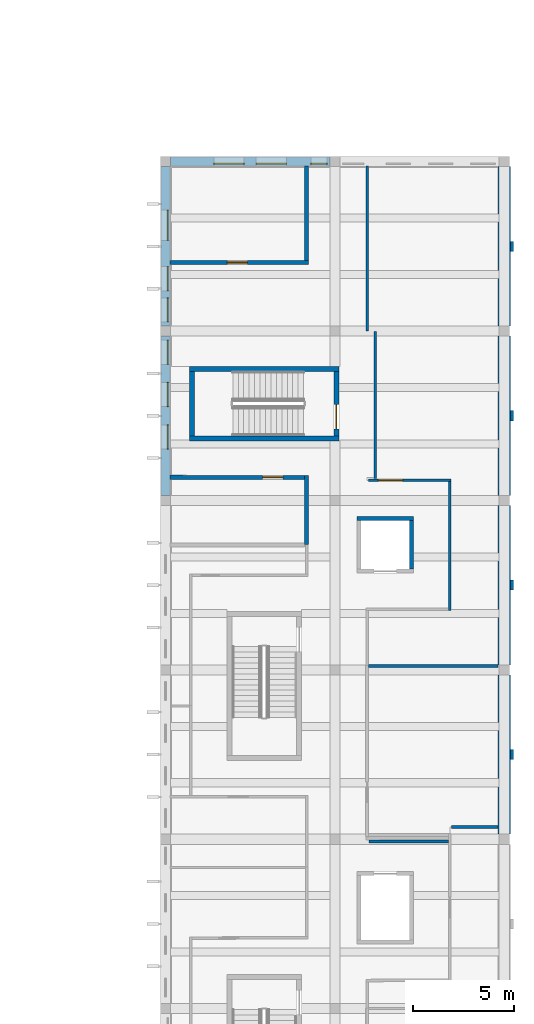
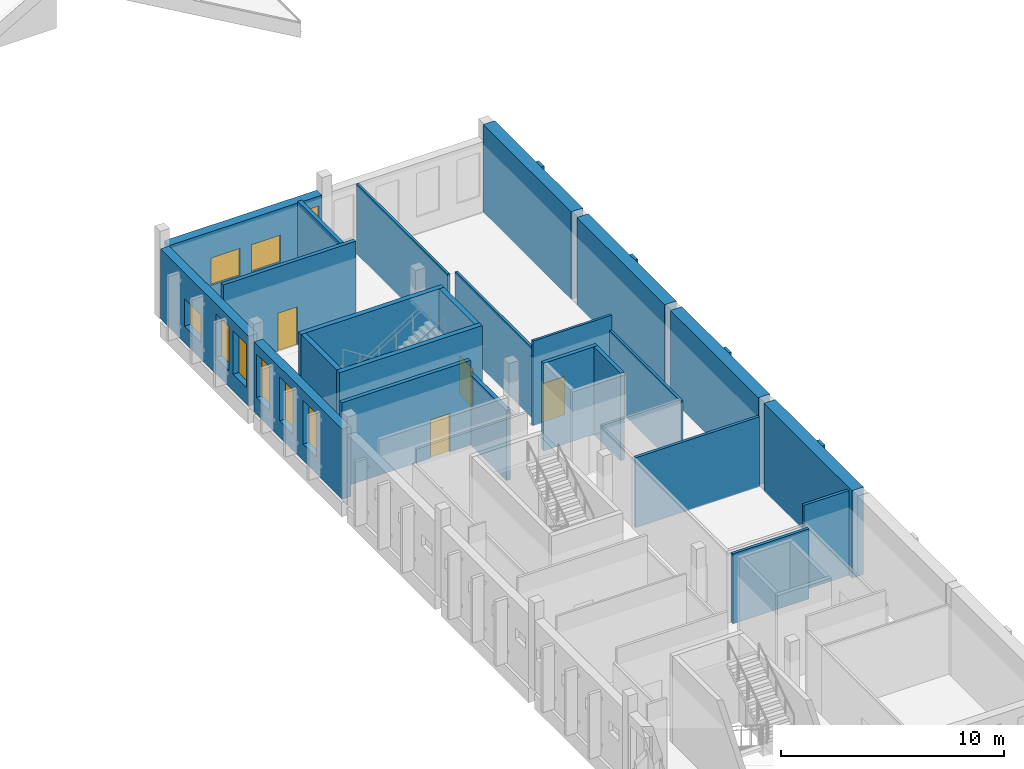
# One storey, part 11 of 37: 28 walls, 9 windows, 4 doors, 13 openings.
"""IFC4 building model written with IfcOpenShell, lengths in metres."""

from ifc_helpers import new_model, si_unit, direction, frame, frame_2d, origin, place, context, subcontext, project, spatial, rectangle, extrude, material, layer, layer_set, type_object, element, fill, save


model = new_model("IFC4")

# Units and contexts
model_context = context("Model", 3, precision=1e-05, world=origin(), true_north=direction((0.0, 1.0)))
body_context = subcontext(model_context, "Body", "Model", "MODEL_VIEW")
ifc_project = project(units=[si_unit("LENGTHUNIT", "METRE"), si_unit("AREAUNIT", "SQUARE_METRE"), si_unit("VOLUMEUNIT", "CUBIC_METRE"), si_unit("PLANEANGLEUNIT", "RADIAN"), si_unit("MASSUNIT", "GRAM", prefix="KILO")], contexts=[model_context])

# Site, building, storey
site_placement = place(None, origin())
site = spatial("IfcSite", under=ifc_project, at=site_placement, CompositionType="ELEMENT")
building_placement = place(site_placement, origin())
building = spatial("IfcBuilding", under=site, at=building_placement, Name="Larchfold Concert Hall", CompositionType="ELEMENT")
storey_placement = place(building_placement, frame((0.0, 0.0, 19.199951171875)))
storey = spatial("IfcBuildingStorey", under=building, at=storey_placement, Name="L04", CompositionType="ELEMENT", Elevation=19.199951171875)

# Wall
ifc_material_1 = material(Name="Plasterboard partition on steel studs", Category="steel")
ifc_layer_1 = layer(ifc_material_1, 0.199951171875)
ifc_layer_set_1 = layer_set([ifc_layer_1], Name="Plasterboard partition on steel studs")
wall_type_1 = type_object("IfcWallType", Name="Acoustic partition 200", PredefinedType="PARTITIONING", material=ifc_layer_set_1)
wall_1_placement = place(storey_placement, frame((91.59814453125, 32.02001953125, 0.0), z_axis=(0.0, 0.0, 1.0), x_axis=(0.000856408478, 0.999999633282, 0.0)))
element("IfcWall", 1, at=wall_1_placement, inside=storey, type_object=wall_type_1, Name="Partition IW0033", PredefinedType="PARTITIONING", context=body_context, shape_type="SweptSolid", body=[
    extrude(rectangle(XDim=3.4208984375, YDim=0.199951171875, at=frame_2d((1.71044921875, 0.0))), origin(), (0.0, 0.0, 1.0), 3.840087890625),
])

# Wall, opening, door
wall_2_placement = place(storey_placement, frame((91.5009765625, 35.341064453125, 0.0), z_axis=(0.0, 0.0, 1.0), x_axis=(-0.999998875879, 0.001499413177, 0.0)))
wall_2 = element("IfcWall", 2, at=wall_2_placement, inside=storey, type_object=wall_type_1, Name="Partition IW0034", PredefinedType="PARTITIONING", context=body_context, shape_type="SweptSolid", body=[
    extrude(rectangle(XDim=6.67578125, YDim=0.199951171875, at=frame_2d((3.337890625, 0.0))), origin(), (0.0, 0.0, 1.0), 4.64013671875),
])
opening_1_placement = place(wall_2_placement, frame((1.08544921875, 0.0, 0.0)))
opening_1 = element("IfcOpeningElement", 3, at=opening_1_placement, cuts=wall_2, Name="Opening D-L04-114", PredefinedType="OPENING", context=body_context, shape_type="SweptSolid", body=[
    extrude(rectangle(XDim=1.0, YDim=2.10009765625, at=frame_2d((0.5, 1.050048828125))), frame((0.0, 0.10986328125, 0.0), z_axis=(0.0, -1.0, 0.0), x_axis=(1.0, 0.0, 0.0)), (0.0, 0.0, 1.0), 0.219970703125),
])
ifc_material_2 = material(Name="Timber door leaf", Category="wood")
door_type_1 = type_object("IfcDoorType", Name="Practice and studio door, acoustic 1000 x 2100 FD30S", OperationType="SINGLE_SWING_LEFT", PredefinedType="DOOR", material=ifc_material_2)
door_1_placement = place(opening_1_placement, origin())
door_1 = element("IfcDoor", 4, at=door_1_placement, inside=storey, type_object=door_type_1, Name="Door D-L04-114", OperationType="SINGLE_SWING_RIGHT", OverallHeight=2.10009765625, OverallWidth=1.0, PredefinedType="DOOR", context=body_context, shape_type="SweptSolid", body=[
    extrude(rectangle(XDim=1.0, YDim=2.10009765625, at=frame_2d((0.5, 1.050048828125))), frame((0.0, 0.02490234375, 0.0), z_axis=(0.0, -1.0, 0.0), x_axis=(1.0, 0.0, 0.0)), (0.0, 0.0, 1.0), 0.050048828125),
])
fill(opening_1, door_1)

wall_3_placement = place(storey_placement, frame((84.8251953125, 46.0, 0.0), z_axis=(0.0, 0.0, 1.0), x_axis=(0.999999989894, 0.000142171671, 0.0)))
wall_3 = element("IfcWall", 5, at=wall_3_placement, inside=storey, type_object=wall_type_1, Name="Partition IW0035", PredefinedType="PARTITIONING", context=body_context, shape_type="SweptSolid", body=[
    extrude(rectangle(XDim=6.868896484375, YDim=0.199951171875, at=frame_2d((3.4345703125, 0.0))), origin(), (0.0, 0.0, 1.0), 4.64013671875),
])
opening_2_placement = place(wall_3_placement, frame((2.840087890625, 0.0, 0.0)))
opening_2 = element("IfcOpeningElement", 6, at=opening_2_placement, cuts=wall_3, Name="Opening D-L04-115", PredefinedType="OPENING", context=body_context, shape_type="SweptSolid", body=[
    extrude(rectangle(XDim=1.0, YDim=2.10009765625, at=frame_2d((0.5, 1.050048828125))), frame((0.0, 0.10986328125, 0.0), z_axis=(0.0, -1.0, 0.0), x_axis=(1.0, 0.0, 0.0)), (0.0, 0.0, 1.0), 0.219970703125),
])
door_2_placement = place(opening_2_placement, origin())
door_2 = element("IfcDoor", 7, at=door_2_placement, inside=storey, type_object=door_type_1, Name="Door D-L04-115", OperationType="SINGLE_SWING_LEFT", OverallHeight=2.10009765625, OverallWidth=1.0, PredefinedType="DOOR", context=body_context, shape_type="SweptSolid", body=[
    extrude(rectangle(XDim=1.0, YDim=2.10009765625, at=frame_2d((0.5, 1.050048828125))), frame((0.0, 0.02490234375, 0.0), z_axis=(0.0, -1.0, 0.0), x_axis=(1.0, 0.0, 0.0)), (0.0, 0.0, 1.0), 0.050048828125),
])
fill(opening_2, door_2)

# Walls
wall_4_placement = place(storey_placement, frame((91.59423828125, 46.10107421875, 0.0), z_axis=(0.0, 0.0, 1.0), x_axis=(0.001253655513, 0.999999214174, 0.0)))
element("IfcWall", 8, at=wall_4_placement, inside=storey, type_object=wall_type_1, Name="Partition IW0036", PredefinedType="PARTITIONING", context=body_context, shape_type="SweptSolid", body=[
    extrude(rectangle(XDim=4.673828125, YDim=0.199951171875, at=frame_2d((2.3369140625, 0.0))), origin(), (0.0, 0.0, 1.0), 3.93994140625),
])
ifc_material_3 = material(Name="Plasterboard partition on steel studs", Category="steel")
ifc_layer_2 = layer(ifc_material_3, 0.125)
ifc_layer_set_2 = layer_set([ifc_layer_2], Name="Plasterboard partition on steel studs")
wall_type_2 = type_object("IfcWallType", Name="Corridor partition 125 EI 60", PredefinedType="PARTITIONING", material=ifc_layer_set_2)
wall_5_placement = place(storey_placement, frame((94.60009765625, 50.77490234375, 0.0), z_axis=(0.0, 0.0, 1.0), x_axis=(-0.000149258185, -0.999999988861, 0.0)))
element("IfcWall", 9, at=wall_5_placement, inside=storey, type_object=wall_type_2, Name="Partition IW0037", PredefinedType="PARTITIONING", context=body_context, shape_type="SweptSolid", body=[
    extrude(rectangle(XDim=8.178466796875, YDim=0.125, at=frame_2d((4.08935546875, 0.0))), origin(), (0.0, 0.0, 1.0), 3.840087890625),
])
wall_6_placement = place(storey_placement, frame((94.9990234375, 42.58642578125, 0.0), z_axis=(0.0, 0.0, 1.0), x_axis=(0.0, -1.0, 0.0)))
element("IfcWall", 10, at=wall_6_placement, inside=storey, type_object=wall_type_2, Name="Partition IW0038", PredefinedType="PARTITIONING", context=body_context, shape_type="SweptSolid", body=[
    extrude(rectangle(XDim=7.2978515625, YDim=0.125, at=frame_2d((3.64892578125, 0.0))), origin(), (0.0, 0.0, 1.0), 3.840087890625),
])

# Wall, opening, door
wall_7_placement = place(storey_placement, frame((94.66162109375, 35.207763671875, 0.0), z_axis=(0.0, 0.0, 1.0), x_axis=(0.999997702175, -0.002143745446, 0.0)))
wall_7 = element("IfcWall", 11, at=wall_7_placement, inside=storey, type_object=wall_type_2, Name="Partition IW0039", PredefinedType="PARTITIONING", context=body_context, shape_type="SweptSolid", body=[
    extrude(rectangle(XDim=4.099853515625, YDim=0.125, at=frame_2d((2.0498046875, 0.0))), origin(), (0.0, 0.0, 1.0), 4.64013671875),
])
opening_3_placement = place(wall_7_placement, frame((0.498291015625, 0.0, 0.0)))
opening_3 = element("IfcOpeningElement", 12, at=opening_3_placement, cuts=wall_7, Name="Opening D-L04-116", PredefinedType="OPENING", context=body_context, shape_type="SweptSolid", body=[
    extrude(rectangle(XDim=1.199951171875, YDim=2.10009765625, at=frame_2d((0.60009765625, 1.050048828125))), frame((0.0, 0.072509765625, 0.0), z_axis=(0.0, -1.0, 0.0), x_axis=(1.0, 0.0, 0.0)), (0.0, 0.0, 1.0), 0.14501953125),
])
ifc_material_4 = material(Name="Timber door leaf", Category="wood")
door_type_2 = type_object("IfcDoorType", Name="Large room door pair 1200 x 2100 FD30S", OperationType="SINGLE_SWING_LEFT", PredefinedType="DOOR", material=ifc_material_4)
door_3_placement = place(opening_3_placement, origin())
door_3 = element("IfcDoor", 13, at=door_3_placement, inside=storey, type_object=door_type_2, Name="Door D-L04-116", OperationType="DOUBLE_DOOR_SINGLE_SWING", OverallHeight=2.10009765625, OverallWidth=1.199951171875, PredefinedType="DOOR", context=body_context, shape_type="SweptSolid", body=[
    extrude(rectangle(XDim=1.199951171875, YDim=2.10009765625, at=frame_2d((0.60009765625, 1.050048828125))), frame((0.0, 0.02490234375, 0.0), z_axis=(0.0, -1.0, 0.0), x_axis=(1.0, 0.0, 0.0)), (0.0, 0.0, 1.0), 0.050048828125),
])
fill(opening_3, door_3)

# Walls
wall_8_placement = place(storey_placement, frame((98.698974609375, 35.136474609375, 0.0), z_axis=(0.0, 0.0, 1.0), x_axis=(0.0, -1.0, 0.0)))
element("IfcWall", 14, at=wall_8_placement, inside=storey, type_object=wall_type_2, Name="Partition IW0040", PredefinedType="PARTITIONING", context=body_context, shape_type="SweptSolid", body=[
    extrude(rectangle(XDim=6.39794921875, YDim=0.125, at=frame_2d((3.198974609375, 0.0))), origin(), (0.0, 0.0, 1.0), 3.840087890625),
])
ifc_material_5 = material(Name="Plasterboard partition on steel studs", Category="steel")
ifc_layer_3 = layer(ifc_material_5, 0.14990234375)
ifc_layer_set_3 = layer_set([ifc_layer_3], Name="Plasterboard partition on steel studs")
wall_type_3 = type_object("IfcWallType", Name="Shaft and plant partition 150 EI 120", PredefinedType="PARTITIONING", material=ifc_layer_set_3)
wall_9_placement = place(storey_placement, frame((94.681884765625, 17.29638671875, 0.0), z_axis=(0.0, 0.0, 1.0), x_axis=(0.999999969509, -0.00024694406, 0.0)))
element("IfcWall", 15, at=wall_9_placement, inside=storey, type_object=wall_type_3, Name="Partition IW0029", PredefinedType="PARTITIONING", context=body_context, shape_type="SweptSolid", body=[
    extrude(rectangle(XDim=3.95458984375, YDim=0.14990234375, at=frame_2d((1.977294921875, 0.0))), origin(), (0.0, 0.0, 1.0), 3.840087890625),
])
wall_10_placement = place(storey_placement, frame((98.77392578125, 18.0, 0.0), z_axis=(0.0, 0.0, 1.0), x_axis=(1.0, 0.0, 0.0)))
element("IfcWall", 16, at=wall_10_placement, inside=storey, type_object=wall_type_3, Name="Partition IW0044", PredefinedType="PARTITIONING", context=body_context, shape_type="SweptSolid", body=[
    extrude(rectangle(XDim=2.326171875, YDim=0.14990234375, at=frame_2d((1.1630859375, 0.0))), origin(), (0.0, 0.0, 1.0), 4.64013671875),
])
wall_11_placement = place(storey_placement, frame((94.675048828125, 26.0, 0.0), z_axis=(0.0, 0.0, 1.0), x_axis=(1.0, 0.0, 0.0)))
element("IfcWall", 17, at=wall_11_placement, inside=storey, type_object=wall_type_3, Name="Partition IW0047", PredefinedType="PARTITIONING", context=body_context, shape_type="SweptSolid", body=[
    extrude(rectangle(XDim=6.425048828125, YDim=0.14990234375, at=frame_2d((3.21240234375, 0.0))), origin(), (0.0, 0.0, 1.0), 3.840087890625),
])
ifc_material_6 = material(Name="Concrete C40/50", Category="concrete")
ifc_layer_4 = layer(ifc_material_6, 0.199951171875)
ifc_layer_set_4 = layer_set([ifc_layer_4], Name="Concrete C40/50")
wall_type_4 = type_object("IfcWallType", Name="Wall RC 200 lift shaft", PredefinedType="SOLIDWALL", material=ifc_layer_set_4)
wall_12_placement = place(storey_placement, frame((94.10009765625, 33.2998046875, 0.0), z_axis=(0.0, 0.0, 1.0), x_axis=(1.0, 0.0, 0.0)))
element("IfcWall", 18, at=wall_12_placement, inside=storey, type_object=wall_type_4, Name="Wall W0111", PredefinedType="SOLIDWALL", context=body_context, shape_type="SweptSolid", body=[
    extrude(rectangle(XDim=2.7998046875, YDim=0.199951171875, at=frame_2d((1.39990234375, 0.0))), origin(), (0.0, 0.0, 1.0), 4.800048828125),
])
wall_13_placement = place(storey_placement, frame((96.7998046875, 30.800048828125, 0.0), z_axis=(0.0, 0.0, 1.0), x_axis=(0.0, 1.0, 0.0)))
element("IfcWall", 19, at=wall_13_placement, inside=storey, type_object=wall_type_4, Name="Wall W0113", PredefinedType="SOLIDWALL", context=body_context, shape_type="SweptSolid", body=[
    extrude(rectangle(XDim=2.39990234375, YDim=0.199951171875, at=frame_2d((1.199951171875, 0.0))), origin(), (0.0, 0.0, 1.0), 4.800048828125),
])
ifc_material_7 = material(Name="Concrete C40/50", Category="concrete")
ifc_layer_5 = layer(ifc_material_7, 0.25)
ifc_layer_set_5 = layer_set([ifc_layer_5], Name="Concrete C40/50")
wall_type_5 = type_object("IfcWallType", Name="Wall RC 250 stair core", PredefinedType="SOLIDWALL", material=ifc_layer_set_5)
for number, where, z_axis, x_axis, name in (
    (20, (85.800048828125, 37.27490234375, 0.0), (0.0, 0.0, 1.0), (1.0, 0.0, 0.0), "Wall W0082"),
    (21, (85.800048828125, 40.72509765625, 0.0), (0.0, 0.0, 1.0), (1.0, 0.0, 0.0), "Wall W0083"),
):
    element("IfcWall", number, at=place(storey_placement, frame(where, z_axis=z_axis, x_axis=x_axis)), inside=storey, type_object=wall_type_5, Name=name, PredefinedType="SOLIDWALL", context=body_context, shape_type="SweptSolid", body=[
        extrude(rectangle(XDim=7.39990234375, YDim=0.25, at=frame_2d((3.699951171875, 0.0))), origin(), (0.0, 0.0, 1.0), 4.800048828125),
    ])
wall_14_placement = place(storey_placement, frame((85.925048828125, 37.39990234375, 0.0), z_axis=(0.0, 0.0, 1.0), x_axis=(0.0, 1.0, 0.0)))
element("IfcWall", 22, at=wall_14_placement, inside=storey, type_object=wall_type_5, Name="Wall W0084", PredefinedType="SOLIDWALL", context=body_context, shape_type="SweptSolid", body=[
    extrude(rectangle(XDim=3.2001953125, YDim=0.25, at=frame_2d((1.60009765625, 0.0))), origin(), (0.0, 0.0, 1.0), 4.800048828125),
])

# Wall, opening, door
wall_15_placement = place(storey_placement, frame((93.074951171875, 37.39990234375, 0.0), z_axis=(0.0, 0.0, 1.0), x_axis=(0.0, 1.0, 0.0)))
wall_15 = element("IfcWall", 23, at=wall_15_placement, inside=storey, type_object=wall_type_5, Name="Wall W0085", PredefinedType="SOLIDWALL", context=body_context, shape_type="SweptSolid", body=[
    extrude(rectangle(XDim=3.2001953125, YDim=0.25, at=frame_2d((1.60009765625, 0.0))), origin(), (0.0, 0.0, 1.0), 4.800048828125),
])
opening_4_placement = place(wall_15_placement, frame((0.35009765625, 0.0, 0.0)))
opening_4 = element("IfcOpeningElement", 24, at=opening_4_placement, cuts=wall_15, Name="Opening D-L04-131", PredefinedType="OPENING", context=body_context, shape_type="SweptSolid", body=[
    extrude(rectangle(XDim=1.199951171875, YDim=2.10009765625, at=frame_2d((0.60009765625, 1.050048828125))), frame((0.0, 0.135009765625, 0.0), z_axis=(0.0, -1.0, 0.0), x_axis=(1.0, 0.0, 0.0)), (0.0, 0.0, 1.0), 0.27001953125),
])
ifc_material_8 = material(Name="Timber door leaf", Category="wood")
door_type_3 = type_object("IfcDoorType", Name="Stair enclosure door pair 1200 x 2100 FD60", OperationType="SINGLE_SWING_LEFT", PredefinedType="DOOR", material=ifc_material_8)
door_4_placement = place(opening_4_placement, origin())
door_4 = element("IfcDoor", 25, at=door_4_placement, inside=storey, type_object=door_type_3, Name="Door D-L04-131", OperationType="DOUBLE_DOOR_SINGLE_SWING", OverallHeight=2.10009765625, OverallWidth=1.199951171875, PredefinedType="DOOR", context=body_context, shape_type="SweptSolid", body=[
    extrude(rectangle(XDim=1.199951171875, YDim=2.10009765625, at=frame_2d((0.60009765625, 1.050048828125))), frame((0.0, 0.02490234375, 0.0), z_axis=(0.0, -1.0, 0.0), x_axis=(1.0, 0.0, 0.0)), (0.0, 0.0, 1.0), 0.050048828125),
])
fill(opening_4, door_4)

# Walls
ifc_material_9 = material(Name="Concrete C40/50", Category="concrete")
ifc_layer_6 = layer(ifc_material_9, 0.60009765625)
ifc_layer_set_6 = layer_set([ifc_layer_6], Name="Concrete C40/50")
wall_type_6 = type_object("IfcWallType", Name="Wall RC 600 party wall", PredefinedType="SOLIDWALL", material=ifc_layer_set_6)
wall_16_placement = place(storey_placement, frame((101.39990234375, 17.64990234375, 0.0), z_axis=(0.0, 0.0, 1.0), x_axis=(0.0, 1.0, 0.0)))
element("IfcWall", 26, at=wall_16_placement, inside=storey, type_object=wall_type_6, Name="Wall W0022", PredefinedType="SOLIDWALL", context=body_context, shape_type="SweptSolid", body=[
    extrude(rectangle(XDim=7.900146484375, YDim=0.60009765625, at=frame_2d((3.9501953125, 0.0))), origin(), (0.0, 0.0, 1.0), 4.800048828125),
])
wall_17_placement = place(storey_placement, frame((101.39990234375, 26.050048828125, 0.0), z_axis=(0.0, 0.0, 1.0), x_axis=(0.0, 1.0, 0.0)))
element("IfcWall", 27, at=wall_17_placement, inside=storey, type_object=wall_type_6, Name="Wall W0023", PredefinedType="SOLIDWALL", context=body_context, shape_type="SweptSolid", body=[
    extrude(rectangle(XDim=7.89990234375, YDim=0.60009765625, at=frame_2d((3.949951171875, 0.0))), origin(), (0.0, 0.0, 1.0), 4.800048828125),
])
wall_18_placement = place(storey_placement, frame((101.39990234375, 34.449951171875, 0.0), z_axis=(0.0, 0.0, 1.0), x_axis=(0.0, 1.0, 0.0)))
element("IfcWall", 28, at=wall_18_placement, inside=storey, type_object=wall_type_6, Name="Wall W0024", PredefinedType="SOLIDWALL", context=body_context, shape_type="SweptSolid", body=[
    extrude(rectangle(XDim=7.900146484375, YDim=0.60009765625, at=frame_2d((3.9501953125, 0.0))), origin(), (0.0, 0.0, 1.0), 4.800048828125),
])
wall_19_placement = place(storey_placement, frame((101.39990234375, 42.85009765625, 0.0), z_axis=(0.0, 0.0, 1.0), x_axis=(0.0, 1.0, 0.0)))
element("IfcWall", 29, at=wall_19_placement, inside=storey, type_object=wall_type_6, Name="Wall W0025", PredefinedType="SOLIDWALL", context=body_context, shape_type="SweptSolid", body=[
    extrude(rectangle(XDim=7.89990234375, YDim=0.60009765625, at=frame_2d((3.949951171875, 0.0))), origin(), (0.0, 0.0, 1.0), 4.800048828125),
])

# Wall, openings, windows
ifc_material_10 = material(Name="White render on mineral wool and block")
ifc_layer_7 = layer(ifc_material_10, 0.449951171875)
ifc_layer_set_7 = layer_set([ifc_layer_7], Name="White render on mineral wool and block")
wall_type_7 = type_object("IfcWallType", Name="White render infill wall 450", PredefinedType="SOLIDWALL", material=ifc_layer_set_7)
wall_20_placement = place(storey_placement, frame((92.75, 51.0, 0.0), z_axis=(0.0, 0.0, 1.0), x_axis=(-1.0, 0.0, 0.0)))
wall_20 = element("IfcWall", 30, at=wall_20_placement, inside=storey, type_object=wall_type_7, Name="Infill wall W5167", PredefinedType="SOLIDWALL", context=body_context, shape_type="SweptSolid", body=[
    extrude(rectangle(XDim=7.89990234375, YDim=0.449951171875, at=frame_2d((3.949951171875, 0.0))), origin(), (0.0, 0.0, 1.0), 3.840087890625),
])
opening_5_placement = place(wall_20_placement, frame((4.25, 0.0, 0.89990234375)))
opening_5 = element("IfcOpeningElement", 31, at=opening_5_placement, cuts=wall_20, Name="Opening WN-L04-021", PredefinedType="OPENING", context=body_context, shape_type="SweptSolid", body=[
    extrude(rectangle(XDim=1.5, YDim=1.5, at=frame_2d((0.75, 0.75))), frame((0.0, 0.23486328125, 0.0), z_axis=(0.0, -1.0, 0.0), x_axis=(1.0, 0.0, 0.0)), (0.0, 0.0, 1.0), 0.469970703125),
])
opening_6_placement = place(wall_20_placement, frame((2.14990234375, 0.0, 0.89990234375)))
opening_6 = element("IfcOpeningElement", 32, at=opening_6_placement, cuts=wall_20, Name="Opening WN-L04-022", PredefinedType="OPENING", context=body_context, shape_type="SweptSolid", body=[
    extrude(rectangle(XDim=1.5, YDim=1.5, at=frame_2d((0.75, 0.75))), frame((0.0, 0.23486328125, 0.0), z_axis=(0.0, -1.0, 0.0), x_axis=(1.0, 0.0, 0.0)), (0.0, 0.0, 1.0), 0.469970703125),
])
opening_7_placement = place(wall_20_placement, frame((0.135009765625, 0.0, 0.89990234375)))
opening_7 = element("IfcOpeningElement", 33, at=opening_7_placement, cuts=wall_20, Name="Opening WN-L04-023", PredefinedType="OPENING", context=body_context, shape_type="SweptSolid", body=[
    extrude(rectangle(XDim=0.800048828125, YDim=2.39990234375, at=frame_2d((0.39990234375, 1.199951171875))), frame((0.0, 0.23486328125, 0.0), z_axis=(0.0, -1.0, 0.0), x_axis=(1.0, 0.0, 0.0)), (0.0, 0.0, 1.0), 0.469970703125),
])
ifc_material_11 = material(Name="Anodised graphite aluminium frame with glass", Category="aluminium")
window_type_1 = type_object("IfcWindowType", Name="Slot window 800x2400", PartitioningType="SINGLE_PANEL", PredefinedType="WINDOW", material=ifc_material_11)
window_1_placement = place(opening_7_placement, origin())
window_1 = element("IfcWindow", 34, at=window_1_placement, inside=storey, type_object=window_type_1, Name="Window WN-L04-023", OverallHeight=2.39990234375, OverallWidth=0.800048828125, PartitioningType="SINGLE_PANEL", PredefinedType="WINDOW", context=body_context, shape_type="SweptSolid", body=[
    extrude(rectangle(XDim=0.800048828125, YDim=2.39990234375, at=frame_2d((0.39990234375, 1.199951171875))), frame((0.0, 0.135009765625, 0.0), z_axis=(0.0, -1.0, 0.0), x_axis=(1.0, 0.0, 0.0)), (0.0, 0.0, 1.0), 0.06005859375),
])
fill(opening_7, window_1)
ifc_material_12 = material(Name="Anodised graphite aluminium frame with glass", Category="aluminium")
window_type_2 = type_object("IfcWindowType", Name="Studio window 1500x1500", PartitioningType="DOUBLE_PANEL_VERTICAL", PredefinedType="WINDOW", material=ifc_material_12)
window_2_placement = place(opening_5_placement, origin())
window_2 = element("IfcWindow", 35, at=window_2_placement, inside=storey, type_object=window_type_2, Name="Window WN-L04-021", OverallHeight=1.5, OverallWidth=1.5, PartitioningType="DOUBLE_PANEL_VERTICAL", PredefinedType="WINDOW", context=body_context, shape_type="SweptSolid", body=[
    extrude(rectangle(XDim=1.5, YDim=1.5, at=frame_2d((0.75, 0.75))), frame((0.0, 0.135009765625, 0.0), z_axis=(0.0, -1.0, 0.0), x_axis=(1.0, 0.0, 0.0)), (0.0, 0.0, 1.0), 0.06005859375),
])
fill(opening_5, window_2)
window_3_placement = place(opening_6_placement, origin())
window_3 = element("IfcWindow", 36, at=window_3_placement, inside=storey, type_object=window_type_2, Name="Window WN-L04-022", OverallHeight=1.5, OverallWidth=1.5, PartitioningType="DOUBLE_PANEL_VERTICAL", PredefinedType="WINDOW", context=body_context, shape_type="SweptSolid", body=[
    extrude(rectangle(XDim=1.5, YDim=1.5, at=frame_2d((0.75, 0.75))), frame((0.0, 0.135009765625, 0.0), z_axis=(0.0, -1.0, 0.0), x_axis=(1.0, 0.0, 0.0)), (0.0, 0.0, 1.0), 0.06005859375),
])
fill(opening_6, window_3)

wall_21_placement = place(storey_placement, frame((84.60009765625, 50.75, 0.0), z_axis=(0.0, 0.0, 1.0), x_axis=(0.0, -1.0, 0.0)))
wall_21 = element("IfcWall", 37, at=wall_21_placement, inside=storey, type_object=wall_type_7, Name="Infill wall W5168", PredefinedType="SOLIDWALL", context=body_context, shape_type="SweptSolid", body=[
    extrude(rectangle(XDim=7.89990234375, YDim=0.449951171875, at=frame_2d((3.949951171875, 0.0))), origin(), (0.0, 0.0, 1.0), 3.840087890625),
])
opening_8_placement = place(wall_21_placement, frame((6.5, 0.0, 0.89990234375)))
opening_8 = element("IfcOpeningElement", 38, at=opening_8_placement, cuts=wall_21, Name="Opening WN-L04-024", PredefinedType="OPENING", context=body_context, shape_type="SweptSolid", body=[
    extrude(rectangle(XDim=1.199951171875, YDim=2.39990234375, at=frame_2d((0.60009765625, 1.199951171875))), frame((0.0, 0.23486328125, 0.0), z_axis=(0.0, -1.0, 0.0), x_axis=(1.0, 0.0, 0.0)), (0.0, 0.0, 1.0), 0.469970703125),
])
opening_9_placement = place(wall_21_placement, frame((4.954833984375, 0.0, 0.89990234375)))
opening_9 = element("IfcOpeningElement", 39, at=opening_9_placement, cuts=wall_21, Name="Opening WN-L04-025", PredefinedType="OPENING", context=body_context, shape_type="SweptSolid", body=[
    extrude(rectangle(XDim=1.199951171875, YDim=2.39990234375, at=frame_2d((0.60009765625, 1.199951171875))), frame((0.0, 0.23486328125, 0.0), z_axis=(0.0, -1.0, 0.0), x_axis=(1.0, 0.0, 0.0)), (0.0, 0.0, 1.0), 0.469970703125),
])
opening_10_placement = place(wall_21_placement, frame((2.14990234375, 0.0, 0.89990234375)))
opening_10 = element("IfcOpeningElement", 40, at=opening_10_placement, cuts=wall_21, Name="Opening WN-L04-026", PredefinedType="OPENING", context=body_context, shape_type="SweptSolid", body=[
    extrude(rectangle(XDim=1.5, YDim=1.5, at=frame_2d((0.75, 0.75))), frame((0.0, 0.23486328125, 0.0), z_axis=(0.0, -1.0, 0.0), x_axis=(1.0, 0.0, 0.0)), (0.0, 0.0, 1.0), 0.469970703125),
])
ifc_material_13 = material(Name="Anodised graphite aluminium frame with glass", Category="aluminium")
window_type_3 = type_object("IfcWindowType", Name="Slot window 1200x2400", PartitioningType="SINGLE_PANEL", PredefinedType="WINDOW", material=ifc_material_13)
window_4_placement = place(opening_8_placement, origin())
window_4 = element("IfcWindow", 41, at=window_4_placement, inside=storey, type_object=window_type_3, Name="Window WN-L04-024", OverallHeight=2.39990234375, OverallWidth=1.199951171875, PartitioningType="SINGLE_PANEL", PredefinedType="WINDOW", context=body_context, shape_type="SweptSolid", body=[
    extrude(rectangle(XDim=1.199951171875, YDim=2.39990234375, at=frame_2d((0.60009765625, 1.199951171875))), frame((0.0, 0.135009765625, 0.0), z_axis=(0.0, -1.0, 0.0), x_axis=(1.0, 0.0, 0.0)), (0.0, 0.0, 1.0), 0.06005859375),
])
fill(opening_8, window_4)
window_5_placement = place(opening_9_placement, origin())
window_5 = element("IfcWindow", 42, at=window_5_placement, inside=storey, type_object=window_type_3, Name="Window WN-L04-025", OverallHeight=2.39990234375, OverallWidth=1.199951171875, PartitioningType="SINGLE_PANEL", PredefinedType="WINDOW", context=body_context, shape_type="SweptSolid", body=[
    extrude(rectangle(XDim=1.199951171875, YDim=2.39990234375, at=frame_2d((0.60009765625, 1.199951171875))), frame((0.0, 0.135009765625, 0.0), z_axis=(0.0, -1.0, 0.0), x_axis=(1.0, 0.0, 0.0)), (0.0, 0.0, 1.0), 0.06005859375),
])
fill(opening_9, window_5)
window_6_placement = place(opening_10_placement, origin())
window_6 = element("IfcWindow", 43, at=window_6_placement, inside=storey, type_object=window_type_2, Name="Window WN-L04-026", OverallHeight=1.5, OverallWidth=1.5, PartitioningType="DOUBLE_PANEL_VERTICAL", PredefinedType="WINDOW", context=body_context, shape_type="SweptSolid", body=[
    extrude(rectangle(XDim=1.5, YDim=1.5, at=frame_2d((0.75, 0.75))), frame((0.0, 0.135009765625, 0.0), z_axis=(0.0, -1.0, 0.0), x_axis=(1.0, 0.0, 0.0)), (0.0, 0.0, 1.0), 0.06005859375),
])
fill(opening_10, window_6)

wall_22_placement = place(storey_placement, frame((84.60009765625, 42.35009765625, 0.0), z_axis=(0.0, 0.0, 1.0), x_axis=(0.0, -1.0, 0.0)))
wall_22 = element("IfcWall", 44, at=wall_22_placement, inside=storey, type_object=wall_type_7, Name="Infill wall W5169", PredefinedType="SOLIDWALL", context=body_context, shape_type="SweptSolid", body=[
    extrude(rectangle(XDim=7.900146484375, YDim=0.449951171875, at=frame_2d((3.9501953125, 0.0))), origin(), (0.0, 0.0, 1.0), 3.840087890625),
])
opening_11_placement = place(wall_22_placement, frame((4.400146484375, 0.0, 0.89990234375)))
opening_11 = element("IfcOpeningElement", 45, at=opening_11_placement, cuts=wall_22, Name="Opening WN-L04-027", PredefinedType="OPENING", context=body_context, shape_type="SweptSolid", body=[
    extrude(rectangle(XDim=1.199951171875, YDim=2.39990234375, at=frame_2d((0.60009765625, 1.199951171875))), frame((0.0, 0.23486328125, 0.0), z_axis=(0.0, -1.0, 0.0), x_axis=(1.0, 0.0, 0.0)), (0.0, 0.0, 1.0), 0.469970703125),
])
opening_12_placement = place(wall_22_placement, frame((2.300048828125, 0.0, 0.89990234375)))
opening_12 = element("IfcOpeningElement", 46, at=opening_12_placement, cuts=wall_22, Name="Opening WN-L04-028", PredefinedType="OPENING", context=body_context, shape_type="SweptSolid", body=[
    extrude(rectangle(XDim=1.199951171875, YDim=2.39990234375, at=frame_2d((0.60009765625, 1.199951171875))), frame((0.0, 0.23486328125, 0.0), z_axis=(0.0, -1.0, 0.0), x_axis=(1.0, 0.0, 0.0)), (0.0, 0.0, 1.0), 0.469970703125),
])
opening_13_placement = place(wall_22_placement, frame((0.2001953125, 0.0, 0.89990234375)))
opening_13 = element("IfcOpeningElement", 47, at=opening_13_placement, cuts=wall_22, Name="Opening WN-L04-029", PredefinedType="OPENING", context=body_context, shape_type="SweptSolid", body=[
    extrude(rectangle(XDim=1.199951171875, YDim=2.39990234375, at=frame_2d((0.60009765625, 1.199951171875))), frame((0.0, 0.23486328125, 0.0), z_axis=(0.0, -1.0, 0.0), x_axis=(1.0, 0.0, 0.0)), (0.0, 0.0, 1.0), 0.469970703125),
])
window_7_placement = place(opening_11_placement, origin())
window_7 = element("IfcWindow", 48, at=window_7_placement, inside=storey, type_object=window_type_3, Name="Window WN-L04-027", OverallHeight=2.39990234375, OverallWidth=1.199951171875, PartitioningType="SINGLE_PANEL", PredefinedType="WINDOW", context=body_context, shape_type="SweptSolid", body=[
    extrude(rectangle(XDim=1.199951171875, YDim=2.39990234375, at=frame_2d((0.60009765625, 1.199951171875))), frame((0.0, 0.135009765625, 0.0), z_axis=(0.0, -1.0, 0.0), x_axis=(1.0, 0.0, 0.0)), (0.0, 0.0, 1.0), 0.06005859375),
])
fill(opening_11, window_7)
window_8_placement = place(opening_12_placement, origin())
window_8 = element("IfcWindow", 49, at=window_8_placement, inside=storey, type_object=window_type_3, Name="Window WN-L04-028", OverallHeight=2.39990234375, OverallWidth=1.199951171875, PartitioningType="SINGLE_PANEL", PredefinedType="WINDOW", context=body_context, shape_type="SweptSolid", body=[
    extrude(rectangle(XDim=1.199951171875, YDim=2.39990234375, at=frame_2d((0.60009765625, 1.199951171875))), frame((0.0, 0.135009765625, 0.0), z_axis=(0.0, -1.0, 0.0), x_axis=(1.0, 0.0, 0.0)), (0.0, 0.0, 1.0), 0.06005859375),
])
fill(opening_12, window_8)
window_9_placement = place(opening_13_placement, origin())
window_9 = element("IfcWindow", 50, at=window_9_placement, inside=storey, type_object=window_type_3, Name="Window WN-L04-029", OverallHeight=2.39990234375, OverallWidth=1.199951171875, PartitioningType="SINGLE_PANEL", PredefinedType="WINDOW", context=body_context, shape_type="SweptSolid", body=[
    extrude(rectangle(XDim=1.199951171875, YDim=2.39990234375, at=frame_2d((0.60009765625, 1.199951171875))), frame((0.0, 0.135009765625, 0.0), z_axis=(0.0, -1.0, 0.0), x_axis=(1.0, 0.0, 0.0)), (0.0, 0.0, 1.0), 0.06005859375),
])
fill(opening_13, window_9)

# Walls
ifc_material_14 = material(Name="White render on insulated block")
ifc_layer_8 = layer(ifc_material_14, 0.14990234375)
ifc_layer_set_8 = layer_set([ifc_layer_8], Name="White render on insulated block")
wall_type_8 = type_object("IfcWallType", Name="White render pilaster 150", PredefinedType="SOLIDWALL", material=ifc_layer_set_8)
for number, where, z_axis, x_axis, name in (
    (51, (101.77490234375, 21.35009765625, 0.0), (0.0, 0.0, 1.0), (0.0, 1.0, 0.0), "Pilaster W5367"),
    (52, (101.77490234375, 29.75, 0.0), (0.0, 0.0, 1.0), (0.0, 1.0, 0.0), "Pilaster W5368"),
    (53, (101.77490234375, 38.14990234375, 0.0), (0.0, 0.0, 1.0), (0.0, 1.0, 0.0), "Pilaster W5369"),
    (54, (101.77490234375, 46.550048828125, 0.0), (0.0, 0.0, 1.0), (0.0, 1.0, 0.0), "Pilaster W5370"),
):
    element("IfcWall", number, at=place(storey_placement, frame(where, z_axis=z_axis, x_axis=x_axis)), inside=storey, type_object=wall_type_8, Name=name, PredefinedType="SOLIDWALL", context=body_context, shape_type="SweptSolid", body=[
        extrude(rectangle(XDim=0.5, YDim=0.14990234375, at=frame_2d((0.25, 0.0))), origin(), (0.0, 0.0, 1.0), 4.800048828125),
    ])

save(model, "model.ifc")
